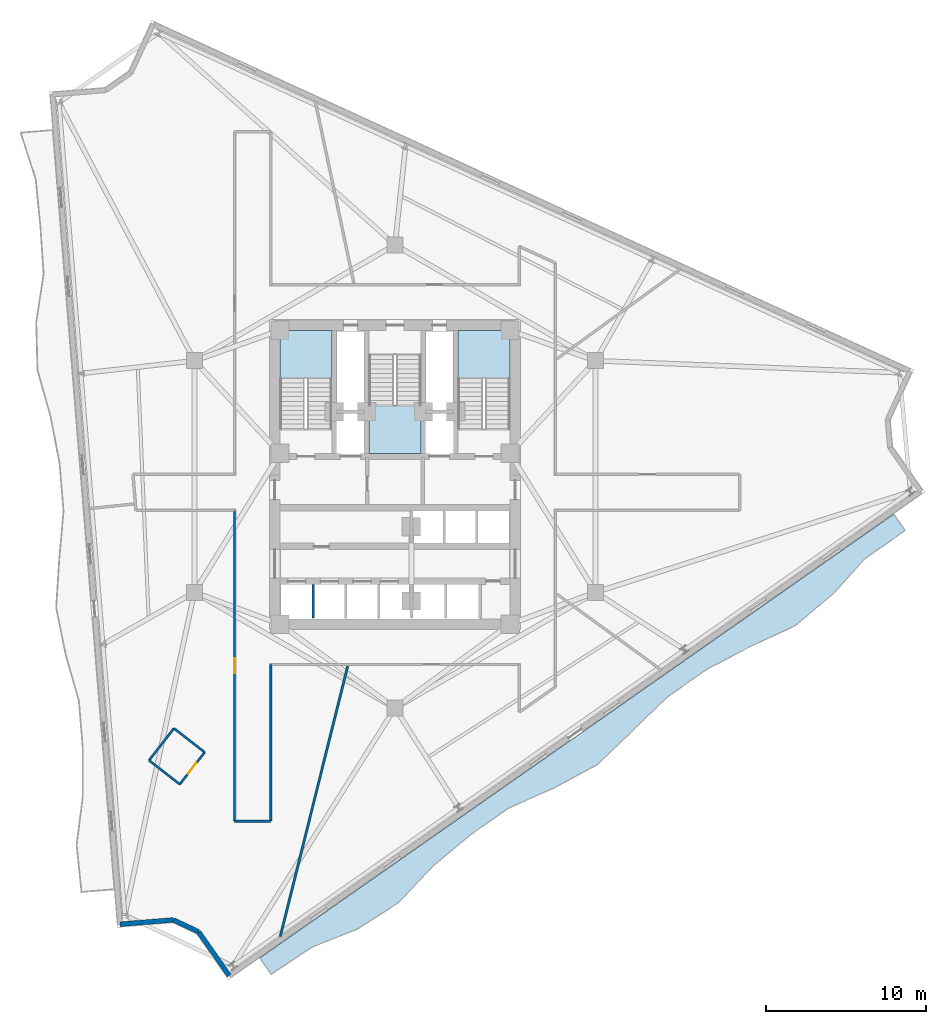
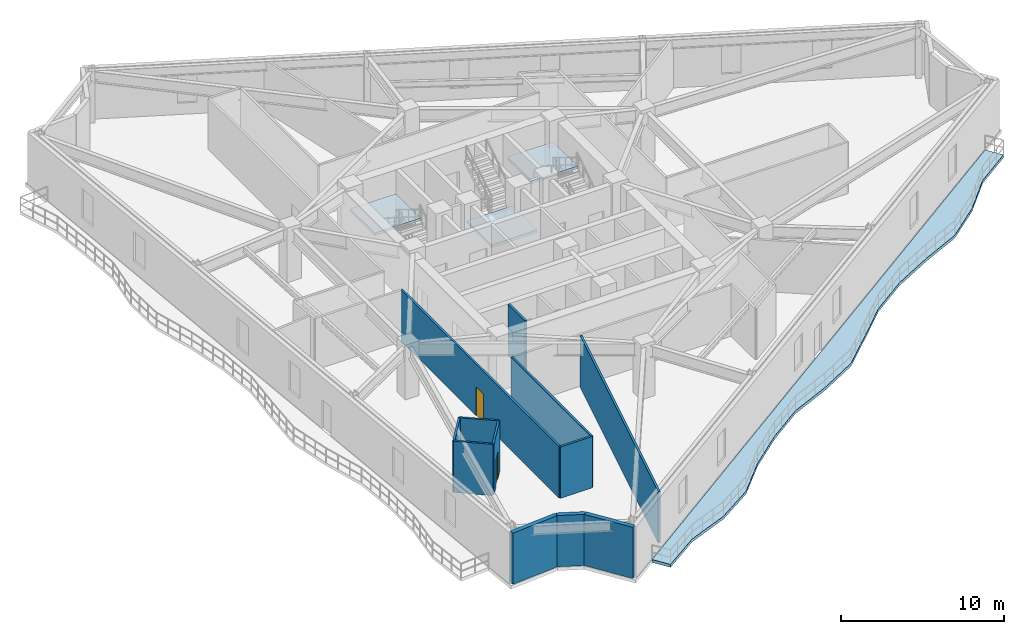
# One storey, part 4 of 10: 12 walls, 4 slabs, 2 doors, 2 openings, 3 elements without a shape of their own.
"""IFC4 building model written with IfcOpenShell, lengths in metres."""

from ifc_helpers import new_model, si_unit, direction, frame, frame_2d, origin, place, context, subcontext, project, spatial, polyline, rectangle, outline, extrude, material, layer, layer_set, type_object, element, fill, aggregate, save


model = new_model("IFC4")

# Units and contexts
model_context = context("Model", 3, precision=1e-05, world=origin(), true_north=direction((0.0, 1.0)))
body_context = subcontext(model_context, "Body", "Model", "MODEL_VIEW")
ifc_project = project(units=[si_unit("LENGTHUNIT", "METRE"), si_unit("AREAUNIT", "SQUARE_METRE"), si_unit("VOLUMEUNIT", "CUBIC_METRE"), si_unit("PLANEANGLEUNIT", "RADIAN"), si_unit("MASSUNIT", "GRAM", prefix="KILO")], contexts=[model_context])

# Site, building, storey
site_placement = place(None, origin())
site = spatial("IfcSite", under=ifc_project, at=site_placement, CompositionType="ELEMENT")
building_placement = place(site_placement, origin())
building = spatial("IfcBuilding", under=site, at=building_placement, Name="Apsidion Concourse Tower", CompositionType="ELEMENT")
storey_placement = place(building_placement, frame((0.0, 0.0, 218.800048828125)))
storey = spatial("IfcBuildingStorey", under=building, at=storey_placement, Name="L51", CompositionType="ELEMENT", Elevation=218.800048828125)

# Slab
ifc_material_1 = material(Name="Concrete C50/60", Category="concrete")
ifc_layer_1 = layer(ifc_material_1, 0.219970703125)
ifc_layer_set_1 = layer_set([ifc_layer_1], Name="Concrete C50/60")
slab_type_1 = type_object("IfcSlabType", Name="SL-BAL-220", PredefinedType="FLOOR", material=ifc_layer_set_1)
slab_1_placement = place(storey_placement, frame((0.0, 0.0, -0.219970703125)))
element("IfcSlab", 1, at=slab_1_placement, inside=storey, type_object=slab_type_1, Name="L51 Face 2 Rippling Balcony Slab", PredefinedType="FLOOR", context=body_context, shape_type="SweptSolid", body=[
    extrude(outline(polyline([(-8.46728515625, -30.153564453125), (-5.986083984375, -28.416259765625), (-3.5048828125, -26.678955078125), (-1.023681640625, -24.941650390625), (1.457275390625, -23.204345703125), (3.9384765625, -21.467041015625), (6.419677734375, -19.729736328125), (8.90087890625, -17.992431640625), (11.3818359375, -16.255126953125), (13.863037109375, -14.517578125), (16.34423828125, -12.780517578125), (18.8251953125, -11.043212890625), (21.306396484375, -9.305908203125), (23.78759765625, -7.568603515625), (26.268798828125, -5.831298828125), (28.75, -4.093994140625), (31.23095703125, -2.356689453125), (31.947998046875, -3.380615234375), (29.466796875, -5.117919921875), (27.37646484375, -7.4130859375), (25.038330078125, -9.354736328125), (22.24609375, -10.647705078125), (19.542236328125, -12.067138671875), (17.061279296875, -13.804443359375), (14.85888671875, -15.93994140625), (12.64208984375, -18.054931640625), (9.95947265625, -19.504150390625), (7.13671875, -20.753662109375), (4.655517578125, -22.490966796875), (2.329345703125, -24.44970703125), (0.20458984375, -26.696044921875), (-2.346435546875, -28.33349609375), (-5.23583984375, -29.48779296875), (-7.750244140625, -31.177490234375), (-8.46728515625, -30.153564453125)])), origin(), (0.0, 0.0, 1.0), 0.219970703125),
])

# Stair, slab
ifc_material_2 = material(Name="Precast concrete C40/50", Category="concrete")
stair_type = type_object("IfcStairType", Name="ST-DL-1550", PredefinedType="HALF_TURN_STAIR", material=ifc_material_2)
stair_1_placement = place(storey_placement, origin())
stair_1 = element("IfcStair", 2, at=stair_1_placement, inside=storey, type_object=stair_type, Name="L51 Protected Core Exit Stair ST1", PredefinedType="HALF_TURN_STAIR")
ifc_layer_2 = layer(ifc_material_1, 0.199951171875)
ifc_layer_set_2 = layer_set([ifc_layer_2], Name="Concrete C50/60")
slab_type_2 = type_object("IfcSlabType", Name="SL-ST-LAND-200", PredefinedType="LANDING", material=ifc_layer_set_2)
slab_2_placement = place(storey_placement, frame((0.0, 0.0, 1.849853515625)))
slab_2 = element("IfcSlab", 3, at=slab_2_placement, type_object=slab_type_2, Name="ST1 landing 1", PredefinedType="LANDING", context=body_context, shape_type="SweptSolid", body=[
    extrude(outline(polyline([(-3.949951171875, 6.135009765625), (-3.949951171875, 9.14990234375), (-7.199951171875, 9.14990234375), (-7.199951171875, 6.135009765625), (-3.949951171875, 6.135009765625)])), origin(), (0.0, 0.0, 1.0), 0.2001953125),
])
aggregate(stair_1, [slab_2])

stair_2_placement = place(storey_placement, origin())
stair_2 = element("IfcStair", 4, at=stair_2_placement, inside=storey, type_object=stair_type, Name="L51 Protected Core Exit Stair ST2", PredefinedType="HALF_TURN_STAIR")
slab_3_placement = place(storey_placement, frame((0.0, 0.0, 1.849853515625)))
slab_3 = element("IfcSlab", 5, at=slab_3_placement, type_object=slab_type_2, Name="ST2 landing 1", PredefinedType="LANDING", context=body_context, shape_type="SweptSolid", body=[
    extrude(outline(polyline([(7.199951171875, 6.135009765625), (7.199951171875, 9.14990234375), (3.949951171875, 9.14990234375), (3.949951171875, 6.135009765625), (7.199951171875, 6.135009765625)])), origin(), (0.0, 0.0, 1.0), 0.2001953125),
])
aggregate(stair_2, [slab_3])

stair_3_placement = place(storey_placement, origin())
stair_3 = element("IfcStair", 6, at=stair_3_placement, inside=storey, type_object=stair_type, Name="L51 Protected Core Exit Stair ST3", PredefinedType="HALF_TURN_STAIR")
slab_4_placement = place(storey_placement, frame((0.0, 0.0, 1.849853515625)))
slab_4 = element("IfcSlab", 7, at=slab_4_placement, type_object=slab_type_2, Name="ST3 landing 1", PredefinedType="LANDING", context=body_context, shape_type="SweptSolid", body=[
    extrude(outline(polyline([(-1.625, 4.465087890625), (-1.625, 1.449951171875), (1.625, 1.449951171875), (1.625, 4.465087890625), (-1.625, 4.465087890625)])), origin(), (0.0, 0.0, 1.0), 0.2001953125),
])
aggregate(stair_3, [slab_4])

# Walls
ifc_layer_3 = layer(ifc_material_2, 0.300048828125)
ifc_layer_set_3 = layer_set([ifc_layer_3], Name="Precast concrete C40/50")
wall_type_1 = type_object("IfcWallType", Name="WL-EXT-300", PredefinedType="STANDARD", material=ifc_layer_set_3)
wall_1_placement = place(storey_placement, frame((-10.384033203125, -31.251708984375, 0.0), z_axis=(0.0, 0.0, 1.0), x_axis=(-0.573550493689, 0.819170208925, 0.0)))
element("IfcWall", 8, at=wall_1_placement, inside=storey, type_object=wall_type_1, Name="L51 Precast Stone Facade Wall 06", PredefinedType="STANDARD", context=body_context, shape_type="SweptSolid", body=[
    extrude(rectangle(XDim=3.345703125, YDim=0.300048828125, at=frame_2d((1.6728515625, 0.0))), origin(), (0.0, 0.0, 1.0), 3.849853515625),
])
wall_2_placement = place(storey_placement, frame((-12.302978515625, -28.510986328125, 0.0), z_axis=(0.0, 0.0, 1.0), x_axis=(-0.904974111733, 0.425466634523, 0.0)))
element("IfcWall", 9, at=wall_2_placement, inside=storey, type_object=wall_type_1, Name="L51 Precast Stone Facade Wall 07", PredefinedType="STANDARD", context=body_context, shape_type="SweptSolid", body=[
    extrude(rectangle(XDim=1.743896484375, YDim=0.300048828125, at=frame_2d((0.8720703125, 0.0))), origin(), (0.0, 0.0, 1.0), 3.849853515625),
])
wall_3_placement = place(storey_placement, frame((-13.881103515625, -27.76904296875, 0.0), z_axis=(0.0, 0.0, 1.0), x_axis=(-0.996720145674, -0.080925590567, 0.0)))
element("IfcWall", 10, at=wall_3_placement, inside=storey, type_object=wall_type_1, Name="L51 Precast Stone Facade Wall 08", PredefinedType="STANDARD", context=body_context, shape_type="SweptSolid", body=[
    extrude(rectangle(XDim=3.345703125, YDim=0.300048828125, at=frame_2d((1.6728515625, 0.0))), origin(), (0.0, 0.0, 1.0), 3.849853515625),
])
ifc_material_3 = material(Name="Gypsum plasterboard partition")
ifc_layer_4 = layer(ifc_material_3, 0.139892578125)
ifc_layer_set_4 = layer_set([ifc_layer_4], Name="Gypsum plasterboard partition")
wall_type_2 = type_object("IfcWallType", Name="WL-INT-PAR-140", PredefinedType="PARTITIONING", material=ifc_layer_set_4)
wall_4_placement = place(storey_placement, frame((-13.8408203125, -15.77099609375, 0.0), z_axis=(0.0, 0.0, 1.0), x_axis=(-0.614253348711, -0.789108879431, 0.0)))
element("IfcWall", 11, at=wall_4_placement, inside=storey, type_object=wall_type_2, Name="L51 Interior Partition WL-L51-POD-OFAWC-S1", PredefinedType="PARTITIONING", context=body_context, shape_type="SweptSolid", body=[
    extrude(rectangle(XDim=2.539794921875, YDim=0.139892578125, at=frame_2d((1.27001953125, 0.0))), origin(), (0.0, 0.0, 1.0), 3.849853515625),
])
wall_5_placement = place(storey_placement, frame((-15.40087890625, -17.775146484375, 0.0), z_axis=(0.0, 0.0, 1.0), x_axis=(0.789039633333, -0.614342296305, 0.0)))
element("IfcWall", 12, at=wall_5_placement, inside=storey, type_object=wall_type_2, Name="L51 Interior Partition WL-L51-POD-OFAWC-S2", PredefinedType="PARTITIONING", context=body_context, shape_type="SweptSolid", body=[
    extrude(rectangle(XDim=2.43994140625, YDim=0.139892578125, at=frame_2d((1.219970703125, 0.0))), origin(), (0.0, 0.0, 1.0), 3.849853515625),
])

# Wall, opening, door
wall_6_placement = place(storey_placement, frame((-13.4755859375, -19.274169921875, 0.0), z_axis=(0.0, 0.0, 1.0), x_axis=(0.614266610483, 0.789098556104, 0.0)))
wall_6 = element("IfcWall", 13, at=wall_6_placement, inside=storey, type_object=wall_type_2, Name="L51 Interior Partition WL-L51-POD-OFAWC-S3", PredefinedType="PARTITIONING", context=body_context, shape_type="SweptSolid", body=[
    extrude(rectangle(XDim=2.5400390625, YDim=0.139892578125, at=frame_2d((1.27001953125, 0.0))), origin(), (0.0, 0.0, 1.0), 3.849853515625),
])
opening_1_placement = place(wall_6_placement, frame((0.830078125, 0.0, 0.0)))
opening_1 = element("IfcOpeningElement", 14, at=opening_1_placement, cuts=wall_6, Name="Opening D-03R", PredefinedType="OPENING", context=body_context, shape_type="SweptSolid", body=[
    extrude(rectangle(XDim=0.8798828125, YDim=2.10009765625, at=frame_2d((0.43994140625, 1.050048828125))), frame((0.0, 0.080078125, 0.0), z_axis=(0.0, -1.0, 0.0), x_axis=(1.0, 0.0, 0.0)), (0.0, 0.0, 1.0), 0.159912109375),
])
ifc_material_4 = material(Name="Anodised aluminium EN AW-6063 T6", Category="aluminium")
door_type_1 = type_object("IfcDoorType", Name="DR-INT-D03R", OperationType="SINGLE_SWING_RIGHT", PredefinedType="DOOR", material=ifc_material_4)
door_1_placement = place(opening_1_placement, origin())
door_1 = element("IfcDoor", 15, at=door_1_placement, inside=storey, type_object=door_type_1, Name="L51 Office Accessible WC Door OFAWC", OperationType="SINGLE_SWING_RIGHT", OverallHeight=2.10009765625, OverallWidth=0.8798828125, PredefinedType="DOOR", context=body_context, shape_type="SweptSolid", body=[
    extrude(rectangle(XDim=0.8798828125, YDim=2.10009765625, at=frame_2d((0.43994140625, 1.050048828125))), frame((0.0, 0.02490234375, 0.0), z_axis=(0.0, -1.0, 0.0), x_axis=(1.0, 0.0, 0.0)), (0.0, 0.0, 1.0), 0.050048828125),
])
fill(opening_1, door_1)

# Walls
wall_7_placement = place(storey_placement, frame((-11.915283203125, -17.269775390625, 0.0), z_axis=(0.0, 0.0, 1.0), x_axis=(-0.789125887798, 0.614231498059, 0.0)))
element("IfcWall", 16, at=wall_7_placement, inside=storey, type_object=wall_type_2, Name="L51 Interior Partition WL-L51-POD-OFAWC-S4", PredefinedType="PARTITIONING", context=body_context, shape_type="SweptSolid", body=[
    extrude(rectangle(XDim=2.440185546875, YDim=0.139892578125, at=frame_2d((1.22021484375, 0.0))), origin(), (0.0, 0.0, 1.0), 3.849853515625),
])
ifc_layer_5 = layer(ifc_material_3, 0.14990234375)
ifc_layer_set_5 = layer_set([ifc_layer_5], Name="Gypsum plasterboard partition")
wall_type_3 = type_object("IfcWallType", Name="WL-INT-PAR-150", PredefinedType="PARTITIONING", material=ifc_layer_set_5)
wall_8_placement = place(storey_placement, frame((-5.125, -8.85009765625, 0.0), z_axis=(0.0, 0.0, 1.0), x_axis=(0.0, 1.0, 0.0)))
element("IfcWall", 17, at=wall_8_placement, inside=storey, type_object=wall_type_3, Name="L51 Interior Partition WL-L51-B2DIV-1", PredefinedType="PARTITIONING", context=body_context, shape_type="SweptSolid", body=[
    extrude(rectangle(XDim=2.080078125, YDim=0.14990234375, at=frame_2d((1.0400390625, 0.0))), origin(), (0.0, 0.0, 1.0), 3.849853515625),
])
wall_9_placement = place(storey_placement, frame((-7.7900390625, -11.77490234375, 0.0), z_axis=(0.0, 0.0, 1.0), x_axis=(0.0, -1.0, 0.0)))
element("IfcWall", 18, at=wall_9_placement, inside=storey, type_object=wall_type_3, Name="L51 Interior Partition WL-L51-CORR-04", PredefinedType="PARTITIONING", context=body_context, shape_type="SweptSolid", body=[
    extrude(rectangle(XDim=9.80517578125, YDim=0.14990234375, at=frame_2d((4.902587890625, 0.0))), origin(), (0.0, 0.0, 1.0), 3.849853515625),
])
wall_10_placement = place(storey_placement, frame((-7.7900390625, -21.580078125, 0.0), z_axis=(0.0, 0.0, 1.0), x_axis=(-1.0, 0.0, 0.0)))
element("IfcWall", 19, at=wall_10_placement, inside=storey, type_object=wall_type_3, Name="L51 Interior Partition WL-L51-CORR-05", PredefinedType="PARTITIONING", context=body_context, shape_type="SweptSolid", body=[
    extrude(rectangle(XDim=2.260009765625, YDim=0.14990234375, at=frame_2d((1.1298828125, 0.0))), origin(), (0.0, 0.0, 1.0), 3.849853515625),
])

# Wall, opening, door
wall_11_placement = place(storey_placement, frame((-10.050048828125, -21.580078125, 0.0), z_axis=(0.0, 0.0, 1.0), x_axis=(0.0, 1.0, 0.0)))
wall_11 = element("IfcWall", 20, at=wall_11_placement, inside=storey, type_object=wall_type_3, Name="L51 Interior Partition WL-L51-CORR-06", PredefinedType="PARTITIONING", context=body_context, shape_type="SweptSolid", body=[
    extrude(rectangle(XDim=19.4501953125, YDim=0.14990234375, at=frame_2d((9.72509765625, 0.0))), origin(), (0.0, 0.0, 1.0), 3.849853515625),
])
opening_2_placement = place(wall_11_placement, frame((9.25, 0.0, 0.0)))
opening_2 = element("IfcOpeningElement", 21, at=opening_2_placement, cuts=wall_11, Name="Opening D-01L", PredefinedType="OPENING", context=body_context, shape_type="SweptSolid", body=[
    extrude(rectangle(XDim=0.949951171875, YDim=2.14990234375, at=frame_2d((0.47509765625, 1.074951171875))), frame((0.0, 0.0849609375, 0.0), z_axis=(0.0, -1.0, 0.0), x_axis=(1.0, 0.0, 0.0)), (0.0, 0.0, 1.0), 0.169921875),
])
ifc_material_5 = material(Name="Brushed stainless steel 316", Category="steel")
door_type_2 = type_object("IfcDoorType", Name="DR-INT-D01L", OperationType="SINGLE_SWING_LEFT", PredefinedType="DOOR", material=ifc_material_5)
door_2_placement = place(opening_2_placement, origin())
door_2 = element("IfcDoor", 22, at=door_2_placement, inside=storey, type_object=door_type_2, Name="L51 Corridor Entry Door 01", OperationType="SINGLE_SWING_LEFT", OverallHeight=2.14990234375, OverallWidth=0.949951171875, PredefinedType="DOOR", context=body_context, shape_type="SweptSolid", body=[
    extrude(rectangle(XDim=0.949951171875, YDim=2.14990234375, at=frame_2d((0.47509765625, 1.074951171875))), frame((0.0, 0.02490234375, 0.0), z_axis=(0.0, -1.0, 0.0), x_axis=(1.0, 0.0, 0.0)), (0.0, 0.0, 1.0), 0.050048828125),
])
fill(opening_2, door_2)

# Wall
wall_12_placement = place(storey_placement, frame((-2.9619140625, -11.8798828125, 0.0), z_axis=(0.0, 0.0, 1.0), x_axis=(-0.241929751203, -0.97029376762, 0.0)))
element("IfcWall", 23, at=wall_12_placement, inside=storey, type_object=wall_type_3, Name="L51 Interior Partition WL-L51-RAD-04-1", PredefinedType="PARTITIONING", context=body_context, shape_type="SweptSolid", body=[
    extrude(rectangle(XDim=17.447021484375, YDim=0.14990234375, at=frame_2d((8.7236328125, 0.0))), origin(), (0.0, 0.0, 1.0), 3.849853515625),
])

save(model, "model.ifc")
